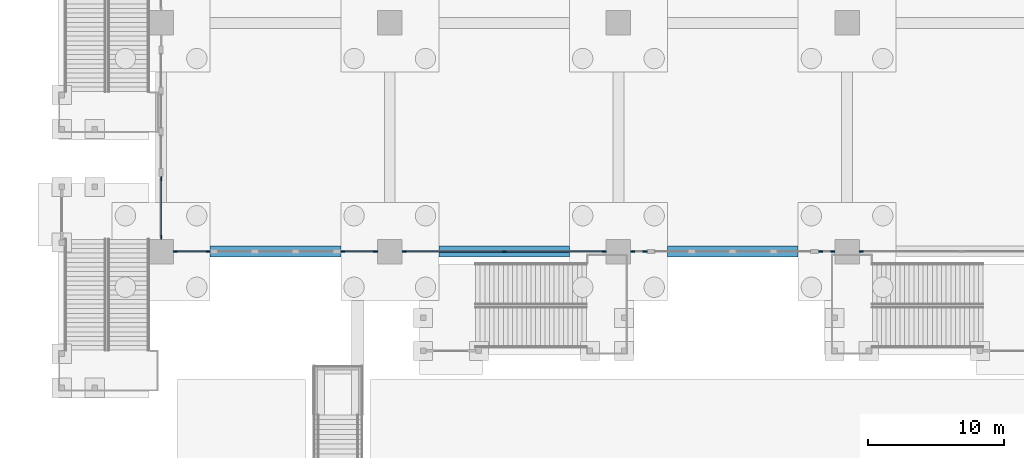
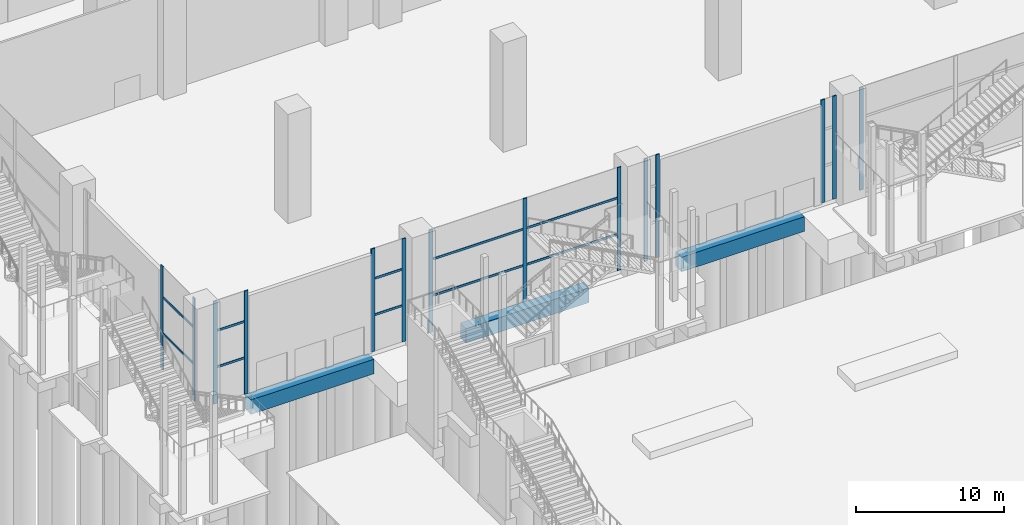
# One storey, part 14 of 72: 24 members, 3 beams, 7 elements without a shape of their own.
"""IFC4 building model written with IfcOpenShell, lengths in metres."""

from ifc_helpers import new_model, si_unit, direction, frame, origin, origin_2d, place, context, subcontext, project, spatial, rectangle, extrude, material, material_profile, profile_set, type_object, element, aggregate, save


model = new_model("IFC4")

# Units and contexts
model_context = context("Model", 3, precision=1e-05, world=origin(), true_north=direction((0.0, 1.0)))
body_context = subcontext(model_context, "Body", "Model", "MODEL_VIEW")
ifc_project = project(units=[si_unit("LENGTHUNIT", "METRE"), si_unit("AREAUNIT", "SQUARE_METRE"), si_unit("VOLUMEUNIT", "CUBIC_METRE"), si_unit("PLANEANGLEUNIT", "RADIAN"), si_unit("MASSUNIT", "GRAM", prefix="KILO")], contexts=[model_context])

# Site, building, storey
site_placement = place(None, origin())
site = spatial("IfcSite", under=ifc_project, at=site_placement, CompositionType="ELEMENT")
building_placement = place(site_placement, origin())
building = spatial("IfcBuilding", under=site, at=building_placement, Name="Candeia Pilgrim Tower and Theatre", CompositionType="ELEMENT")
storey_placement = place(building_placement, origin())
storey = spatial("IfcBuildingStorey", under=building, at=storey_placement, Name="L00", CompositionType="ELEMENT", Elevation=0.0)

# Curtain wall, members
ifc_material_1 = material(Name="Aluminium framed podium glazing", Category="aluminium")
curtain_wall_type = type_object("IfcCurtainWallType", Name="CW-P curtain wall", PredefinedType="NOTDEFINED", material=ifc_material_1)
curtain_wall_1_placement = place(storey_placement, origin())
curtain_wall_1 = element("IfcCurtainWall", 1, at=curtain_wall_1_placement, inside=storey, type_object=curtain_wall_type, Name="Curtain wall CW-P L00.000", PredefinedType="NOTDEFINED")
ifc_material_2 = material(Name="Anodised aluminium", Category="aluminium")
ifc_material_profile_1 = material_profile(ifc_material_2, rectangle(XDim=0.080078125, YDim=0.300048828125, at=origin_2d()))
ifc_profile_set_1 = profile_set([ifc_material_profile_1], Name="Anodised aluminium")
member_type_1 = type_object("IfcMemberType", Name="CW-P mullion 80x300", PredefinedType="MULLION", material=ifc_profile_set_1)
member_1_placement = place(storey_placement, frame((58.800048828125, 65.449951171875, 0.0), z_axis=(0.0, 0.0, 1.0), x_axis=(-1.0, 0.0, 0.0)))
member_1 = element("IfcMember", 2, at=member_1_placement, type_object=member_type_1, Name="CW-P mullion 1", PredefinedType="MULLION", context=body_context, shape_type="SweptSolid", body=[
    extrude(rectangle(XDim=0.080078125, YDim=0.300048828125, at=origin_2d()), origin(), (0.0, 0.0, 1.0), 8.5),
])
member_2_placement = place(storey_placement, frame((58.800048828125, 69.75, 0.0), z_axis=(0.0, 0.0, 1.0), x_axis=(-1.0, 0.0, 0.0)))
member_2 = element("IfcMember", 3, at=member_2_placement, type_object=member_type_1, Name="CW-P mullion 2", PredefinedType="MULLION", context=body_context, shape_type="SweptSolid", body=[
    extrude(rectangle(XDim=0.080078125, YDim=0.300048828125, at=origin_2d()), origin(), (0.0, 0.0, 1.0), 8.5),
])

# Curtain wall, member
curtain_wall_2_placement = place(storey_placement, origin())
curtain_wall_2 = element("IfcCurtainWall", 4, at=curtain_wall_2_placement, inside=storey, type_object=curtain_wall_type, Name="Curtain wall CW-P L00.320", PredefinedType="NOTDEFINED")
member_3_placement = place(storey_placement, frame((110.25, 64.39990234375, 0.0), z_axis=(0.0, 0.0, 1.0), x_axis=(0.0, -1.0, 0.0)))
member_3 = element("IfcMember", 5, at=member_3_placement, type_object=member_type_1, Name="CW-P mullion 3", PredefinedType="MULLION", context=body_context, shape_type="SweptSolid", body=[
    extrude(rectangle(XDim=0.080078125, YDim=0.300048828125, at=origin_2d()), origin(), (0.0, 0.0, 1.0), 8.5),
])
aggregate(curtain_wall_2, [member_3])

# Curtain wall, members
curtain_wall_3_placement = place(storey_placement, origin())
curtain_wall_3 = element("IfcCurtainWall", 6, at=curtain_wall_3_placement, inside=storey, type_object=curtain_wall_type, Name="Curtain wall CW-P L00.330", PredefinedType="NOTDEFINED")
member_4_placement = place(storey_placement, frame((108.14990234375, 64.39990234375, 0.0), z_axis=(0.0, 0.0, 1.0), x_axis=(0.0, -1.0, 0.0)))
member_4 = element("IfcMember", 7, at=member_4_placement, type_object=member_type_1, Name="CW-P mullion 1", PredefinedType="MULLION", context=body_context, shape_type="SweptSolid", body=[
    extrude(rectangle(XDim=0.080078125, YDim=0.300048828125, at=origin_2d()), origin(), (0.0, 0.0, 1.0), 8.5),
])
member_5_placement = place(storey_placement, frame((107.25, 64.39990234375, 0.0), z_axis=(0.0, 0.0, 1.0), x_axis=(0.0, -1.0, 0.0)))
member_5 = element("IfcMember", 8, at=member_5_placement, type_object=member_type_1, Name="CW-P mullion 2", PredefinedType="MULLION", context=body_context, shape_type="SweptSolid", body=[
    extrude(rectangle(XDim=0.080078125, YDim=0.300048828125, at=origin_2d()), origin(), (0.0, 0.0, 1.0), 8.5),
])
aggregate(curtain_wall_3, [member_4, member_5])

curtain_wall_4_placement = place(storey_placement, origin())
curtain_wall_4 = element("IfcCurtainWall", 9, at=curtain_wall_4_placement, inside=storey, type_object=curtain_wall_type, Name="Curtain wall CW-P L00.331", PredefinedType="NOTDEFINED")
member_6_placement = place(storey_placement, frame((94.35009765625, 64.39990234375, 0.0), z_axis=(0.0, 0.0, 1.0), x_axis=(0.0, -1.0, 0.0)))
member_6 = element("IfcMember", 10, at=member_6_placement, type_object=member_type_1, Name="CW-P mullion 1", PredefinedType="MULLION", context=body_context, shape_type="SweptSolid", body=[
    extrude(rectangle(XDim=0.080078125, YDim=0.300048828125, at=origin_2d()), origin(), (0.0, 0.0, 1.0), 8.5),
])
member_7_placement = place(storey_placement, frame((93.449951171875, 64.39990234375, 0.0), z_axis=(0.0, 0.0, 1.0), x_axis=(0.0, -1.0, 0.0)))
member_7 = element("IfcMember", 11, at=member_7_placement, type_object=member_type_1, Name="CW-P mullion 2", PredefinedType="MULLION", context=body_context, shape_type="SweptSolid", body=[
    extrude(rectangle(XDim=0.080078125, YDim=0.300048828125, at=origin_2d()), origin(), (0.0, 0.0, 1.0), 8.5),
])
aggregate(curtain_wall_4, [member_6, member_7])

curtain_wall_5_placement = place(storey_placement, origin())
curtain_wall_5 = element("IfcCurtainWall", 12, at=curtain_wall_5_placement, inside=storey, type_object=curtain_wall_type, Name="Curtain wall CW-P L00.340", PredefinedType="NOTDEFINED")
member_8_placement = place(storey_placement, frame((91.35009765625, 64.39990234375, 0.0), z_axis=(0.0, 0.0, 1.0), x_axis=(0.0, -1.0, 0.0)))
member_8 = element("IfcMember", 13, at=member_8_placement, type_object=member_type_1, Name="CW-P mullion 1", PredefinedType="MULLION", context=body_context, shape_type="SweptSolid", body=[
    extrude(rectangle(XDim=0.080078125, YDim=0.300048828125, at=origin_2d()), origin(), (0.0, 0.0, 1.0), 8.5),
])
member_9_placement = place(storey_placement, frame((84.0, 64.39990234375, 0.0), z_axis=(0.0, 0.0, 1.0), x_axis=(0.0, -1.0, 0.0)))
member_9 = element("IfcMember", 14, at=member_9_placement, type_object=member_type_1, Name="CW-P mullion 2", PredefinedType="MULLION", context=body_context, shape_type="SweptSolid", body=[
    extrude(rectangle(XDim=0.080078125, YDim=0.300048828125, at=origin_2d()), origin(), (0.0, 0.0, 1.0), 8.5),
])
member_10_placement = place(storey_placement, frame((76.64990234375, 64.39990234375, 0.0), z_axis=(0.0, 0.0, 1.0), x_axis=(0.0, -1.0, 0.0)))
member_10 = element("IfcMember", 15, at=member_10_placement, type_object=member_type_1, Name="CW-P mullion 3", PredefinedType="MULLION", context=body_context, shape_type="SweptSolid", body=[
    extrude(rectangle(XDim=0.080078125, YDim=0.300048828125, at=origin_2d()), origin(), (0.0, 0.0, 1.0), 8.5),
])

curtain_wall_6_placement = place(storey_placement, origin())
curtain_wall_6 = element("IfcCurtainWall", 16, at=curtain_wall_6_placement, inside=storey, type_object=curtain_wall_type, Name="Curtain wall CW-P L00.350", PredefinedType="NOTDEFINED")
member_11_placement = place(storey_placement, frame((74.550048828125, 64.39990234375, 0.0), z_axis=(0.0, 0.0, 1.0), x_axis=(0.0, -1.0, 0.0)))
member_11 = element("IfcMember", 17, at=member_11_placement, type_object=member_type_1, Name="CW-P mullion 1", PredefinedType="MULLION", context=body_context, shape_type="SweptSolid", body=[
    extrude(rectangle(XDim=0.080078125, YDim=0.300048828125, at=origin_2d()), origin(), (0.0, 0.0, 1.0), 8.5),
])
member_12_placement = place(storey_placement, frame((72.14990234375, 64.39990234375, 0.0), z_axis=(0.0, 0.0, 1.0), x_axis=(0.0, -1.0, 0.0)))
member_12 = element("IfcMember", 18, at=member_12_placement, type_object=member_type_1, Name="CW-P mullion 2", PredefinedType="MULLION", context=body_context, shape_type="SweptSolid", body=[
    extrude(rectangle(XDim=0.080078125, YDim=0.300048828125, at=origin_2d()), origin(), (0.0, 0.0, 1.0), 8.5),
])

curtain_wall_7_placement = place(storey_placement, origin())
curtain_wall_7 = element("IfcCurtainWall", 19, at=curtain_wall_7_placement, inside=storey, type_object=curtain_wall_type, Name="Curtain wall CW-P L00.351", PredefinedType="NOTDEFINED")
member_13_placement = place(storey_placement, frame((62.25, 64.39990234375, 0.0), z_axis=(0.0, 0.0, 1.0), x_axis=(0.0, -1.0, 0.0)))
member_13 = element("IfcMember", 20, at=member_13_placement, type_object=member_type_1, Name="CW-P mullion 1", PredefinedType="MULLION", context=body_context, shape_type="SweptSolid", body=[
    extrude(rectangle(XDim=0.080078125, YDim=0.300048828125, at=origin_2d()), origin(), (0.0, 0.0, 1.0), 8.5),
])
member_14_placement = place(storey_placement, frame((59.85009765625, 64.39990234375, 0.0), z_axis=(0.0, 0.0, 1.0), x_axis=(0.0, -1.0, 0.0)))
member_14 = element("IfcMember", 21, at=member_14_placement, type_object=member_type_1, Name="CW-P mullion 2", PredefinedType="MULLION", context=body_context, shape_type="SweptSolid", body=[
    extrude(rectangle(XDim=0.080078125, YDim=0.300048828125, at=origin_2d()), origin(), (0.0, 0.0, 1.0), 8.5),
])

# Member
ifc_material_profile_2 = material_profile(ifc_material_2, rectangle(XDim=0.080078125, YDim=0.179931640625, at=origin_2d()))
ifc_profile_set_2 = profile_set([ifc_material_profile_2], Name="Anodised aluminium")
member_type_2 = type_object("IfcMemberType", Name="CW-P transom 80x180", PredefinedType="USERDEFINED", material=ifc_profile_set_2)
member_15_placement = place(storey_placement, frame((58.800048828125, 65.489990234375, 3.0), z_axis=(0.0, 1.0, 0.0), x_axis=(-1.0, 0.0, 0.0)))
member_15 = element("IfcMember", 22, at=member_15_placement, type_object=member_type_2, Name="CW-P transom 1.1", ObjectType="TRANSOM", PredefinedType="USERDEFINED", context=body_context, shape_type="SweptSolid", body=[
    extrude(rectangle(XDim=0.080078125, YDim=0.179931640625, at=origin_2d()), origin(), (0.0, 0.0, 1.0), 4.219970703125),
])

member_16_placement = place(storey_placement, frame((58.800048828125, 65.489990234375, 6.0), z_axis=(0.0, 1.0, 0.0), x_axis=(-1.0, 0.0, 0.0)))
member_16 = element("IfcMember", 23, at=member_16_placement, type_object=member_type_2, Name="CW-P transom 1.2", ObjectType="TRANSOM", PredefinedType="USERDEFINED", context=body_context, shape_type="SweptSolid", body=[
    extrude(rectangle(XDim=0.080078125, YDim=0.179931640625, at=origin_2d()), origin(), (0.0, 0.0, 1.0), 4.219970703125),
])

aggregate(curtain_wall_1, [member_1, member_2, member_15, member_16])

member_17_placement = place(storey_placement, frame((91.31005859375, 64.39990234375, 3.0), z_axis=(-1.0, 0.0, 0.0), x_axis=(0.0, -1.0, 0.0)))
member_17 = element("IfcMember", 24, at=member_17_placement, type_object=member_type_2, Name="CW-P transom 1.1", ObjectType="TRANSOM", PredefinedType="USERDEFINED", context=body_context, shape_type="SweptSolid", body=[
    extrude(rectangle(XDim=0.080078125, YDim=0.179931640625, at=origin_2d()), origin(), (0.0, 0.0, 1.0), 7.27001953125),
])

member_18_placement = place(storey_placement, frame((91.31005859375, 64.39990234375, 6.0), z_axis=(-1.0, 0.0, 0.0), x_axis=(0.0, -1.0, 0.0)))
member_18 = element("IfcMember", 25, at=member_18_placement, type_object=member_type_2, Name="CW-P transom 1.2", ObjectType="TRANSOM", PredefinedType="USERDEFINED", context=body_context, shape_type="SweptSolid", body=[
    extrude(rectangle(XDim=0.080078125, YDim=0.179931640625, at=origin_2d()), origin(), (0.0, 0.0, 1.0), 7.27001953125),
])

member_19_placement = place(storey_placement, frame((83.9599609375, 64.39990234375, 3.0), z_axis=(-1.0, 0.0, 0.0), x_axis=(0.0, -1.0, 0.0)))
member_19 = element("IfcMember", 26, at=member_19_placement, type_object=member_type_2, Name="CW-P transom 2.1", ObjectType="TRANSOM", PredefinedType="USERDEFINED", context=body_context, shape_type="SweptSolid", body=[
    extrude(rectangle(XDim=0.080078125, YDim=0.179931640625, at=origin_2d()), origin(), (0.0, 0.0, 1.0), 7.27001953125),
])

member_20_placement = place(storey_placement, frame((83.9599609375, 64.39990234375, 6.0), z_axis=(-1.0, 0.0, 0.0), x_axis=(0.0, -1.0, 0.0)))
member_20 = element("IfcMember", 27, at=member_20_placement, type_object=member_type_2, Name="CW-P transom 2.2", ObjectType="TRANSOM", PredefinedType="USERDEFINED", context=body_context, shape_type="SweptSolid", body=[
    extrude(rectangle(XDim=0.080078125, YDim=0.179931640625, at=origin_2d()), origin(), (0.0, 0.0, 1.0), 7.27001953125),
])

aggregate(curtain_wall_5, [member_8, member_9, member_10, member_17, member_18, member_19, member_20])

member_21_placement = place(storey_placement, frame((74.510009765625, 64.39990234375, 3.0), z_axis=(-1.0, 0.0, 0.0), x_axis=(0.0, -1.0, 0.0)))
member_21 = element("IfcMember", 28, at=member_21_placement, type_object=member_type_2, Name="CW-P transom 1.1", ObjectType="TRANSOM", PredefinedType="USERDEFINED", context=body_context, shape_type="SweptSolid", body=[
    extrude(rectangle(XDim=0.080078125, YDim=0.179931640625, at=origin_2d()), origin(), (0.0, 0.0, 1.0), 2.320068359375),
])

member_22_placement = place(storey_placement, frame((74.510009765625, 64.39990234375, 6.0), z_axis=(-1.0, 0.0, 0.0), x_axis=(0.0, -1.0, 0.0)))
member_22 = element("IfcMember", 29, at=member_22_placement, type_object=member_type_2, Name="CW-P transom 1.2", ObjectType="TRANSOM", PredefinedType="USERDEFINED", context=body_context, shape_type="SweptSolid", body=[
    extrude(rectangle(XDim=0.080078125, YDim=0.179931640625, at=origin_2d()), origin(), (0.0, 0.0, 1.0), 2.320068359375),
])

aggregate(curtain_wall_6, [member_11, member_12, member_21, member_22])

member_23_placement = place(storey_placement, frame((62.2099609375, 64.39990234375, 3.0), z_axis=(-1.0, 0.0, 0.0), x_axis=(0.0, -1.0, 0.0)))
member_23 = element("IfcMember", 30, at=member_23_placement, type_object=member_type_2, Name="CW-P transom 1.1", ObjectType="TRANSOM", PredefinedType="USERDEFINED", context=body_context, shape_type="SweptSolid", body=[
    extrude(rectangle(XDim=0.080078125, YDim=0.179931640625, at=origin_2d()), origin(), (0.0, 0.0, 1.0), 2.320068359375),
])

member_24_placement = place(storey_placement, frame((62.2099609375, 64.39990234375, 6.0), z_axis=(-1.0, 0.0, 0.0), x_axis=(0.0, -1.0, 0.0)))
member_24 = element("IfcMember", 31, at=member_24_placement, type_object=member_type_2, Name="CW-P transom 1.2", ObjectType="TRANSOM", PredefinedType="USERDEFINED", context=body_context, shape_type="SweptSolid", body=[
    extrude(rectangle(XDim=0.080078125, YDim=0.179931640625, at=origin_2d()), origin(), (0.0, 0.0, 1.0), 2.320068359375),
])

aggregate(curtain_wall_7, [member_13, member_14, member_23, member_24])

# Beams
ifc_material_3 = material(Name="Concrete C40/50", Category="concrete")
ifc_material_profile_3 = material_profile(ifc_material_3, rectangle(XDim=0.800048828125, YDim=1.199951171875, at=origin_2d()))
ifc_profile_set_3 = profile_set([ifc_material_profile_3], Name="Concrete C40/50")
beam_type = type_object("IfcBeamType", Name="RC 800x1200 C40/50", PredefinedType="BEAM", material=ifc_profile_set_3)
for number, where, z_axis, x_axis, name in (
    (32, (96.0, 64.39990234375, -0.949951171875), (1.0, 0.0, 0.0), (0.0, 1.0, 0.0), "Ground beam 004"),
    (33, (88.800048828125, 64.39990234375, -0.949951171875), (-1.0, 0.0, 0.0), (0.0, -1.0, 0.0), "Ground beam 005"),
    (34, (72.0, 64.39990234375, -0.949951171875), (-1.0, 0.0, 0.0), (0.0, -1.0, 0.0), "Ground beam 036"),
):
    element("IfcBeam", number, at=place(storey_placement, frame(where, z_axis=z_axis, x_axis=x_axis)), inside=storey, type_object=beam_type, Name=name, PredefinedType="BEAM", context=body_context, shape_type="SweptSolid", body=[
        extrude(rectangle(XDim=0.800048828125, YDim=1.199951171875, at=origin_2d()), origin(), (0.0, 0.0, 1.0), 9.60009765625),
    ])

save(model, "model.ifc")
